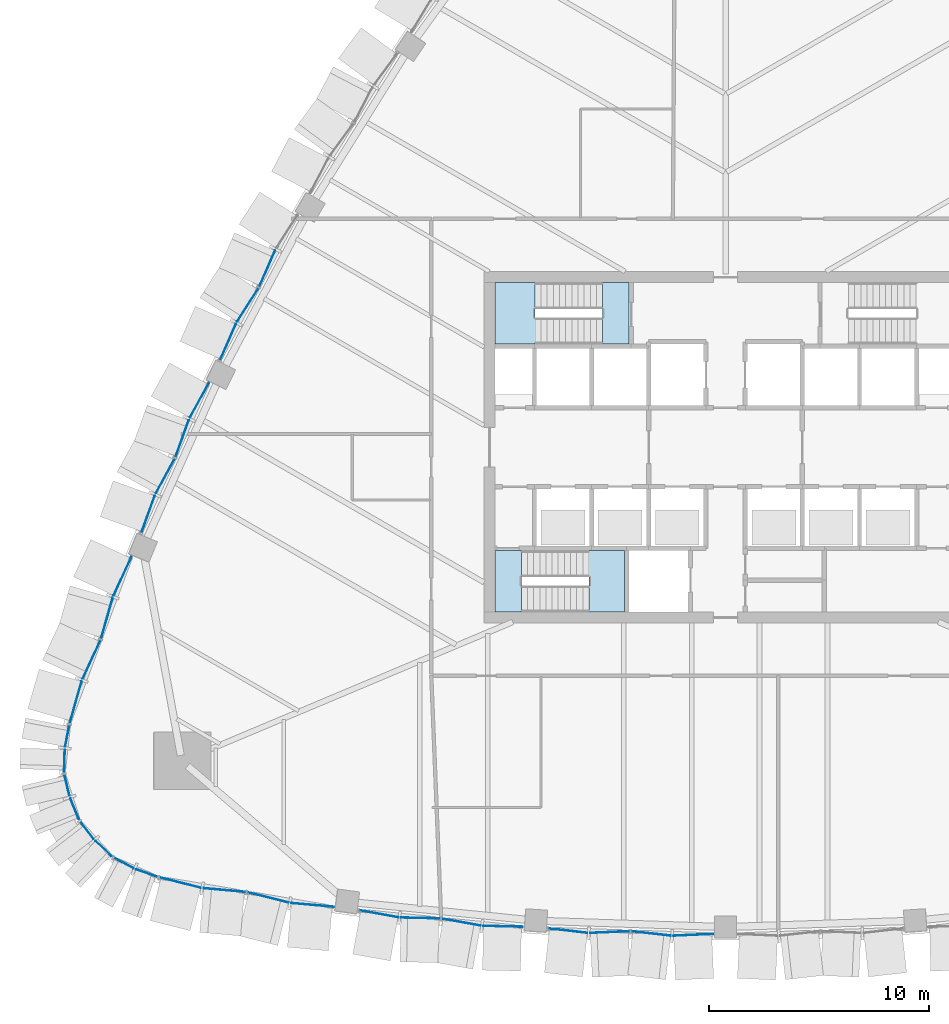
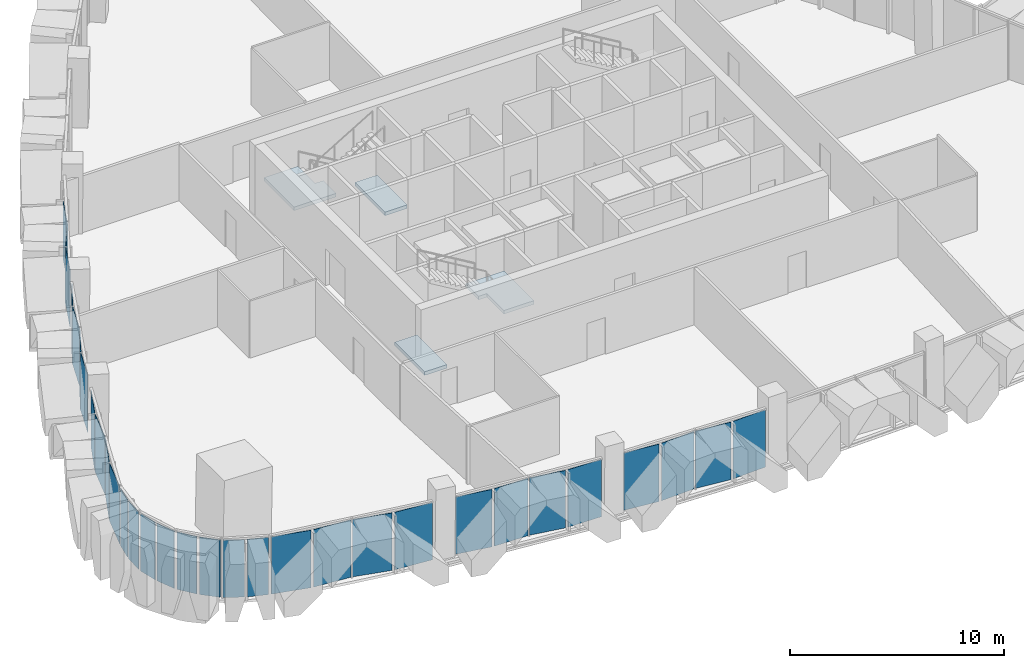
# One storey, part 8 of 18: 31 plates, 4 slabs, 12 elements without a shape of their own.
"""IFC4 building model written with IfcOpenShell, lengths in metres."""

from ifc_helpers import new_model, si_unit, direction, frame, origin, place, context, subcontext, project, spatial, polyline, outline, extrude, material, layer, layer_set, type_object, element, aggregate, save


model = new_model("IFC4")

# Units and contexts
model_context = context("Model", 3, precision=1e-05, world=origin(), true_north=direction((0.0, 1.0)))
body_context = subcontext(model_context, "Body", "Model", "MODEL_VIEW")
ifc_project = project(units=[si_unit("LENGTHUNIT", "METRE"), si_unit("AREAUNIT", "SQUARE_METRE"), si_unit("VOLUMEUNIT", "CUBIC_METRE"), si_unit("PLANEANGLEUNIT", "RADIAN"), si_unit("MASSUNIT", "GRAM", prefix="KILO")], contexts=[model_context])

# Site, building, storey
site_placement = place(None, origin())
site = spatial("IfcSite", under=ifc_project, at=site_placement, CompositionType="ELEMENT")
building_placement = place(site_placement, origin())
building = spatial("IfcBuilding", under=site, at=building_placement, Name="Sierra Prisma Convention Tower", CompositionType="ELEMENT")
storey_placement = place(building_placement, frame((0.0, 0.0, 137.800048828125)))
storey = spatial("IfcBuildingStorey", under=building, at=storey_placement, Name="L29", CompositionType="ELEMENT", Elevation=137.800048828125)

# Curtain wall, plates
ifc_material_1 = material(Name="Aluminium and glass curtain wall", Category="aluminium")
ifc_layer_1 = layer(ifc_material_1, 0.179931640625)
ifc_layer_set_1 = layer_set([ifc_layer_1], Name="CW-2 Faceted crystal curtain wall")
curtain_wall_type = type_object("IfcCurtainWallType", Name="CW-2 Faceted crystal curtain wall", PredefinedType="NOTDEFINED", material=ifc_layer_set_1)
curtain_wall_1_placement = place(storey_placement, origin())
curtain_wall_1 = element("IfcCurtainWall", 1, at=curtain_wall_1_placement, inside=storey, type_object=curtain_wall_type, Name="CW-2 S1 L29", PredefinedType="NOTDEFINED")
ifc_material_2 = material(Name="Tinted glass bronze-grey IGU", Category="glass")
ifc_layer_2 = layer(ifc_material_2, 0.028076171875)
ifc_layer_set_2 = layer_set([ifc_layer_2], Name="CW-2 crystal pane")
plate_type = type_object("IfcPlateType", Name="CW-2 crystal pane", PredefinedType="CURTAIN_PANEL", material=ifc_layer_set_2)
plate_1_placement = place(storey_placement, frame((-25.76904296875, -19.60400390625, 0.0), z_axis=(-0.243636178795, -0.969866698254, 0.0), x_axis=(0.969866698254, -0.243636178795, 0.0)))
plate_1 = element("IfcPlate", 2, at=plate_1_placement, type_object=plate_type, Name="CW-2 pane S1.1.1", PredefinedType="CURTAIN_PANEL", context=body_context, shape_type="SweptSolid", body=[
    extrude(outline(polyline([(0.0, 0.0), (1.9309898337022993, 0.0), (1.9309898337022993, 3.280029296875001), (0.0, 3.280029296875001), (0.0, 0.0)])), origin(), (0.0, 0.0, -1.0), 0.028076171875),
])
plate_2_placement = place(storey_placement, frame((-21.844970703125, -20.267578125, 0.0), z_axis=(-0.088882660449, -0.996042103865, 0.0), x_axis=(-0.996042103865, 0.088882660449, 0.0)))
plate_2 = element("IfcPlate", 3, at=plate_2_placement, type_object=plate_type, Name="CW-2 pane S1.1.2", PredefinedType="CURTAIN_PANEL", context=body_context, shape_type="SweptSolid", body=[
    extrude(outline(polyline([(0.0, 0.0), (1.9309824718122317, 0.0), (1.9309824718122317, -3.280029296875), (0.0, -3.280029296875), (0.0, 0.0)])), origin(), (0.0, 0.0, -1.0), 0.028076171875),
])
plate_3_placement = place(storey_placement, frame((-21.77587890625, -20.279296875, 0.0), z_axis=(-0.243636178795, -0.969866698254, 0.0), x_axis=(0.969866698254, -0.243636178795, 0.0)))
plate_3 = element("IfcPlate", 4, at=plate_3_placement, type_object=plate_type, Name="CW-2 pane S1.2.1", PredefinedType="CURTAIN_PANEL", context=body_context, shape_type="SweptSolid", body=[
    extrude(outline(polyline([(0.0, 0.0), (1.9309898337022993, 0.0), (1.9309898337022993, 3.280029296875001), (0.0, 3.280029296875001), (0.0, 0.0)])), origin(), (0.0, 0.0, -1.0), 0.028076171875),
])
plate_4_placement = place(storey_placement, frame((-17.85205078125, -20.943115234375, 0.0), z_axis=(-0.088882660449, -0.996042103865, 0.0), x_axis=(-0.996042103865, 0.088882660449, 0.0)))
plate_4 = element("IfcPlate", 5, at=plate_4_placement, type_object=plate_type, Name="CW-2 pane S1.2.2", PredefinedType="CURTAIN_PANEL", context=body_context, shape_type="SweptSolid", body=[
    extrude(outline(polyline([(0.0, 0.0), (1.9309824718122317, 0.0), (1.9309824718122317, -3.280029296875), (0.0, -3.280029296875), (0.0, 0.0)])), origin(), (0.0, 0.0, -1.0), 0.028076171875),
])
aggregate(curtain_wall_1, [plate_1, plate_2, plate_3, plate_4])

curtain_wall_2_placement = place(storey_placement, origin())
curtain_wall_2 = element("IfcCurtainWall", 6, at=curtain_wall_2_placement, inside=storey, type_object=curtain_wall_type, Name="CW-2 S2 L29", PredefinedType="NOTDEFINED")
plate_5_placement = place(storey_placement, frame((-16.67822265625, -21.099853515625, 0.0), z_axis=(-0.178107099109, -0.984011108294, 0.0), x_axis=(0.984011108294, -0.178107099109, 0.0)))
plate_5 = element("IfcPlate", 7, at=plate_5_placement, type_object=plate_type, Name="CW-2 pane S2.1.1", PredefinedType="CURTAIN_PANEL", context=body_context, shape_type="SweptSolid", body=[
    extrude(outline(polyline([(0.0, 0.0), (1.7943140937303539, 0.0), (1.7943140937303539, 3.280029296875), (0.0, 3.280029296875), (0.0, 0.0)])), origin(), (0.0, 0.0, -1.0), 0.028076171875),
])
plate_6_placement = place(storey_placement, frame((-12.98974609375, -21.471923828125, 0.0), z_axis=(-0.022041459352, -0.999757057524, 0.0), x_axis=(-0.999757057524, 0.022041459352, 0.0)))
plate_6 = element("IfcPlate", 8, at=plate_6_placement, type_object=plate_type, Name="CW-2 pane S2.1.2", PredefinedType="CURTAIN_PANEL", context=body_context, shape_type="SweptSolid", body=[
    extrude(outline(polyline([(0.0, 0.0), (1.7943812439217615, 0.0), (1.7943812439217615, -3.280029296875001), (0.0, -3.280029296875001), (0.0, 0.0)])), origin(), (0.0, 0.0, -1.0), 0.028076171875),
])
plate_7_placement = place(storey_placement, frame((-12.920166015625, -21.478759765625, 0.0), z_axis=(-0.178107099109, -0.984011108294, 0.0), x_axis=(0.984011108294, -0.178107099109, 0.0)))
plate_7 = element("IfcPlate", 9, at=plate_7_placement, type_object=plate_type, Name="CW-2 pane S2.2.1", PredefinedType="CURTAIN_PANEL", context=body_context, shape_type="SweptSolid", body=[
    extrude(outline(polyline([(0.0, 0.0), (1.7943140937303539, 0.0), (1.7943140937303539, 3.280029296875), (0.0, 3.280029296875), (0.0, 0.0)])), origin(), (0.0, 0.0, -1.0), 0.028076171875),
])
plate_8_placement = place(storey_placement, frame((-9.231689453125, -21.850830078125, 0.0), z_axis=(-0.021905466451, -0.999760046481, 0.0), x_axis=(-0.999760046481, 0.021905466451, 0.0)))
plate_8 = element("IfcPlate", 10, at=plate_8_placement, type_object=plate_type, Name="CW-2 pane S2.2.2", PredefinedType="CURTAIN_PANEL", context=body_context, shape_type="SweptSolid", body=[
    extrude(outline(polyline([(0.0, 0.0), (1.7943758793067706, 0.0), (1.7943758793067706, -3.280029296875001), (0.0, -3.280029296875001), (0.0, 0.0)])), origin(), (0.0, 0.0, -1.0), 0.028076171875),
])
aggregate(curtain_wall_2, [plate_5, plate_6, plate_7, plate_8])

curtain_wall_3_placement = place(storey_placement, origin())
curtain_wall_3 = element("IfcCurtainWall", 11, at=curtain_wall_3_placement, inside=storey, type_object=curtain_wall_type, Name="CW-2 S3 L29", PredefinedType="NOTDEFINED")
plate_9_placement = place(storey_placement, frame((-8.08203125, -21.927734375, 0.0), z_axis=(-0.111754642822, -0.993735829991, 0.0), x_axis=(0.993735829991, -0.111754642822, 0.0)))
plate_9 = element("IfcPlate", 12, at=plate_9_placement, type_object=plate_type, Name="CW-2 pane S3.1.1", PredefinedType="CURTAIN_PANEL", context=body_context, shape_type="SweptSolid", body=[
    extrude(outline(polyline([(0.0, 0.0), (1.80230557352087, 0.0), (1.80230557352087, 3.280029296875001), (0.0, 3.280029296875001), (0.0, 0.0)])), origin(), (0.0, 0.0, -1.0), 0.028076171875),
])
plate_10_placement = place(storey_placement, frame((-4.36083984375, -22.052490234375, 0.0), z_axis=(0.044971404362, -0.998988274601, 0.0), x_axis=(-0.998988274601, -0.044971404362, 0.0)))
plate_10 = element("IfcPlate", 13, at=plate_10_placement, type_object=plate_type, Name="CW-2 pane S3.1.2", PredefinedType="CURTAIN_PANEL", context=body_context, shape_type="SweptSolid", body=[
    extrude(outline(polyline([(0.0, 0.0), (1.8023606033760846, 0.0), (1.8023606033760846, -3.280029296875001), (0.0, -3.280029296875001), (0.0, 0.0)])), origin(), (0.0, 0.0, -1.0), 0.028076171875),
])
plate_11_placement = place(storey_placement, frame((-4.291015625, -22.0546875, 0.0), z_axis=(-0.111873349171, -0.993722473201, 0.0), x_axis=(0.993722473201, -0.111873349171, 0.0)))
plate_11 = element("IfcPlate", 14, at=plate_11_placement, type_object=plate_type, Name="CW-2 pane S3.2.1", PredefinedType="CURTAIN_PANEL", context=body_context, shape_type="SweptSolid", body=[
    extrude(outline(polyline([(0.0, 0.0), (1.8025754815168504, 0.0), (1.8025754815168504, 3.280029296875), (0.0, 3.280029296875), (0.0, 0.0)])), origin(), (0.0, 0.0, -1.0), 0.028076171875),
])
plate_12_placement = place(storey_placement, frame((-0.569580078125, -22.179443359375, 0.0), z_axis=(0.044965319699, -0.998988548495, 0.0), x_axis=(-0.998988548495, -0.044965319699, 0.0)))
plate_12 = element("IfcPlate", 15, at=plate_12_placement, type_object=plate_type, Name="CW-2 pane S3.2.2", PredefinedType="CURTAIN_PANEL", context=body_context, shape_type="SweptSolid", body=[
    extrude(outline(polyline([(0.0, 0.0), (1.8026044970312498, 0.0), (1.8026044970312498, -3.280029296875), (0.0, -3.280029296875), (0.0, 0.0)])), origin(), (0.0, 0.0, -1.0), 0.028076171875),
])
aggregate(curtain_wall_3, [plate_9, plate_10, plate_11, plate_12])

curtain_wall_4_placement = place(storey_placement, origin())
curtain_wall_4 = element("IfcCurtainWall", 16, at=curtain_wall_4_placement, inside=storey, type_object=curtain_wall_type, Name="CW-2 NW4 L29", PredefinedType="NOTDEFINED")
plate_13_placement = place(storey_placement, frame((-21.245361328125, 7.311279296875, 0.0), z_axis=(-0.916511389168, 0.400008591814, 0.0), x_axis=(0.400008591814, 0.916511389168, 0.0)))
plate_13 = element("IfcPlate", 17, at=plate_13_placement, type_object=plate_type, Name="CW-2 pane NW4.1.2", PredefinedType="CURTAIN_PANEL", context=body_context, shape_type="SweptSolid", body=[
    extrude(outline(polyline([(0.0, 0.0), (1.802329450863922, 0.0), (1.802329450863922, -3.280029296875001), (0.0, -3.280029296875001), (0.0, 0.0)])), origin(), (0.0, 0.0, -1.0), 0.028076171875),
])
plate_14_placement = place(storey_placement, frame((-21.2783203125, 7.24951171875, 0.0), z_axis=(-0.842605777815, 0.538530874874, 0.0), x_axis=(-0.538530874874, -0.842605777815, 0.0)))
plate_14 = element("IfcPlate", 18, at=plate_14_placement, type_object=plate_type, Name="CW-2 pane NW4.2.1", PredefinedType="CURTAIN_PANEL", context=body_context, shape_type="SweptSolid", body=[
    extrude(outline(polyline([(0.0, 0.0), (1.8025022710661531, 0.0), (1.8025022710661531, 3.280029296875), (0.0, 3.280029296875), (0.0, 0.0)])), origin(), (0.0, 0.0, -1.0), 0.028076171875),
])
plate_15_placement = place(storey_placement, frame((-23.031005859375, 3.96435546875, 0.0), z_axis=(-0.916533059404, 0.399958936666, 0.0), x_axis=(0.399958936666, 0.916533059404, 0.0)))
plate_15 = element("IfcPlate", 19, at=plate_15_placement, type_object=plate_type, Name="CW-2 pane NW4.2.2", PredefinedType="CURTAIN_PANEL", context=body_context, shape_type="SweptSolid", body=[
    extrude(outline(polyline([(0.0, 0.0), (1.8025532111727498, 0.0), (1.8025532111727498, -3.280029296875), (0.0, -3.280029296875), (0.0, 0.0)])), origin(), (0.0, 0.0, -1.0), 0.028076171875),
])
aggregate(curtain_wall_4, [plate_13, plate_14, plate_15])

curtain_wall_5_placement = place(storey_placement, origin())
curtain_wall_5 = element("IfcCurtainWall", 20, at=curtain_wall_5_placement, inside=storey, type_object=curtain_wall_type, Name="CW-2 NW5 L29", PredefinedType="NOTDEFINED")
plate_16_placement = place(storey_placement, frame((-23.539306640625, 2.9306640625, 0.0), z_axis=(-0.876801305553, 0.480852857515, 0.0), x_axis=(-0.480852857515, -0.876801305553, 0.0)))
plate_16 = element("IfcPlate", 21, at=plate_16_placement, type_object=plate_type, Name="CW-2 pane NW5.1.1", PredefinedType="CURTAIN_PANEL", context=body_context, shape_type="SweptSolid", body=[
    extrude(outline(polyline([(0.0, 0.0), (1.7942972684185372, 0.0), (1.7942972684185372, 3.280029296875), (0.0, 3.280029296875), (0.0, 0.0)])), origin(), (0.0, 0.0, -1.0), 0.028076171875),
])
plate_17_placement = place(storey_placement, frame((-25.061279296875, -0.44970703125, 0.0), z_axis=(-0.941254563031, 0.337697864331, 0.0), x_axis=(0.337697864331, 0.941254563031, 0.0)))
plate_17 = element("IfcPlate", 22, at=plate_17_placement, type_object=plate_type, Name="CW-2 pane NW5.1.2", PredefinedType="CURTAIN_PANEL", context=body_context, shape_type="SweptSolid", body=[
    extrude(outline(polyline([(0.0, 0.0), (1.794376261307749, 0.0), (1.794376261307749, -3.280029296875), (0.0, -3.280029296875), (0.0, 0.0)])), origin(), (0.0, 0.0, -1.0), 0.028076171875),
])
plate_18_placement = place(storey_placement, frame((-25.090087890625, -0.513427734375, 0.0), z_axis=(-0.876832760746, 0.480795496738, 0.0), x_axis=(-0.480795496738, -0.876832760746, 0.0)))
plate_18 = element("IfcPlate", 23, at=plate_18_placement, type_object=plate_type, Name="CW-2 pane NW5.2.1", PredefinedType="CURTAIN_PANEL", context=body_context, shape_type="SweptSolid", body=[
    extrude(outline(polyline([(0.0, 0.0), (1.79451133507725, 0.0), (1.79451133507725, 3.280029296875), (0.0, 3.280029296875), (0.0, 0.0)])), origin(), (0.0, 0.0, -1.0), 0.028076171875),
])
plate_19_placement = place(storey_placement, frame((-26.612060546875, -3.893798828125, 0.0), z_axis=(-0.941239043928, 0.337741117107, 0.0), x_axis=(0.337741117107, 0.941239043928, 0.0)))
plate_19 = element("IfcPlate", 24, at=plate_19_placement, type_object=plate_type, Name="CW-2 pane NW5.2.2", PredefinedType="CURTAIN_PANEL", context=body_context, shape_type="SweptSolid", body=[
    extrude(outline(polyline([(0.0, 0.0), (1.7941464647247471, 0.0), (1.7941464647247471, -3.280029296875), (0.0, -3.280029296875), (0.0, 0.0)])), origin(), (0.0, 0.0, -1.0), 0.028076171875),
])
aggregate(curtain_wall_5, [plate_16, plate_17, plate_18, plate_19])

curtain_wall_6_placement = place(storey_placement, origin())
curtain_wall_6 = element("IfcCurtainWall", 25, at=curtain_wall_6_placement, inside=storey, type_object=curtain_wall_type, Name="CW-2 NW6 L29", PredefinedType="NOTDEFINED")
plate_20_placement = place(storey_placement, frame((-27.063232421875, -4.98876953125, 0.0), z_axis=(-0.907046907926, 0.421029579509, 0.0), x_axis=(-0.421029579509, -0.907046907926, 0.0)))
plate_20 = element("IfcPlate", 26, at=plate_20_placement, type_object=plate_type, Name="CW-2 pane NW6.1.1", PredefinedType="CURTAIN_PANEL", context=body_context, shape_type="SweptSolid", body=[
    extrude(outline(polyline([(0.0, 0.0), (1.9309528850653093, 0.0), (1.9309528850653093, 3.280029296875001), (0.0, 3.280029296875001), (0.0, 0.0)])), origin(), (0.0, 0.0, -1.0), 0.028076171875),
])
plate_21_placement = place(storey_placement, frame((-28.450439453125, -8.718994140625, 0.0), z_axis=(-0.961738343213, 0.273969631884, 0.0), x_axis=(0.273969631884, 0.961738343213, 0.0)))
plate_21 = element("IfcPlate", 27, at=plate_21_placement, type_object=plate_type, Name="CW-2 pane NW6.1.2", PredefinedType="CURTAIN_PANEL", context=body_context, shape_type="SweptSolid", body=[
    extrude(outline(polyline([(0.0, 0.0), (1.9310634201931127, 0.0), (1.9310634201931127, -3.280029296875001), (0.0, -3.280029296875001), (0.0, 0.0)])), origin(), (0.0, 0.0, -1.0), 0.028076171875),
])
plate_22_placement = place(storey_placement, frame((-28.474853515625, -8.784423828125, 0.0), z_axis=(-0.907046907926, 0.421029579509, 0.0), x_axis=(-0.421029579509, -0.907046907926, 0.0)))
plate_22 = element("IfcPlate", 28, at=plate_22_placement, type_object=plate_type, Name="CW-2 pane NW6.2.1", PredefinedType="CURTAIN_PANEL", context=body_context, shape_type="SweptSolid", body=[
    extrude(outline(polyline([(0.0, 0.0), (1.9309528850653093, 0.0), (1.9309528850653093, 3.280029296875001), (0.0, 3.280029296875001), (0.0, 0.0)])), origin(), (0.0, 0.0, -1.0), 0.028076171875),
])
plate_23_placement = place(storey_placement, frame((-29.862060546875, -12.5146484375, 0.0), z_axis=(-0.961738343213, 0.273969631884, 0.0), x_axis=(0.273969631884, 0.961738343213, 0.0)))
plate_23 = element("IfcPlate", 29, at=plate_23_placement, type_object=plate_type, Name="CW-2 pane NW6.2.2", PredefinedType="CURTAIN_PANEL", context=body_context, shape_type="SweptSolid", body=[
    extrude(outline(polyline([(0.0, 0.0), (1.9310634201931127, 0.0), (1.9310634201931127, -3.280029296875001), (0.0, -3.280029296875001), (0.0, 0.0)])), origin(), (0.0, 0.0, -1.0), 0.028076171875),
])
aggregate(curtain_wall_6, [plate_20, plate_21, plate_22, plate_23])

curtain_wall_7_placement = place(storey_placement, origin())
curtain_wall_7 = element("IfcCurtainWall", 30, at=curtain_wall_7_placement, inside=storey, type_object=curtain_wall_type, Name="CW-2 SW1 L29", PredefinedType="NOTDEFINED")
plate_24_placement = place(storey_placement, frame((-29.894287109375, -12.649658203125, 0.0), z_axis=(-0.982112141093, 0.188296952491, 0.0), x_axis=(-0.188296952491, -0.982112141093, 0.0)))
plate_24 = element("IfcPlate", 31, at=plate_24_placement, type_object=plate_type, Name="CW-2 pane SW1.1.1", PredefinedType="CURTAIN_PANEL", context=body_context, shape_type="SweptSolid", body=[
    extrude(outline(polyline([(0.0, 0.0), (1.0035470104543807, 0.0), (1.0035470104543807, 3.280029296875), (0.0, 3.280029296875), (0.0, 0.0)])), origin(), (0.0, 0.0, -1.0), 0.028076171875),
])
plate_25_placement = place(storey_placement, frame((-30.130126953125, -14.76708984375, 0.0), z_axis=(-0.999476313762, 0.032358897208, 0.0), x_axis=(0.032358897208, 0.999476313762, 0.0)))
plate_25 = element("IfcPlate", 32, at=plate_25_placement, type_object=plate_type, Name="CW-2 pane SW1.1.2", PredefinedType="CURTAIN_PANEL", context=body_context, shape_type="SweptSolid", body=[
    extrude(outline(polyline([(0.0, 0.0), (1.0034551831697716, 0.0), (1.0034551831697716, -3.280029296875), (0.0, -3.280029296875), (0.0, 0.0)])), origin(), (0.0, 0.0, -1.0), 0.028076171875),
])
aggregate(curtain_wall_7, [plate_24, plate_25])

curtain_wall_8_placement = place(storey_placement, origin())
curtain_wall_8 = element("IfcCurtainWall", 33, at=curtain_wall_8_placement, inside=storey, type_object=curtain_wall_type, Name="CW-2 SW2 L29", PredefinedType="NOTDEFINED")
plate_26_placement = place(storey_placement, frame((-30.116455078125, -14.9033203125, 0.0), z_axis=(-0.972868825805, -0.231357402686, 0.0), x_axis=(0.231357402686, -0.972868825805, 0.0)))
plate_26 = element("IfcPlate", 34, at=plate_26_placement, type_object=plate_type, Name="CW-2 pane SW2.1.1", PredefinedType="CURTAIN_PANEL", context=body_context, shape_type="SweptSolid", body=[
    extrude(outline(polyline([(0.0, 0.0), (1.0035457334831333, 0.0), (1.0035457334831333, 3.280029296875), (0.0, 3.280029296875), (0.0, 0.0)])), origin(), (0.0, 0.0, -1.0), 0.028076171875),
])
plate_27_placement = place(storey_placement, frame((-29.46240234375, -16.93115234375, 0.0), z_axis=(-0.924688174629, -0.380725333674, 0.0), x_axis=(-0.380725333674, 0.924688174629, 0.0)))
plate_27 = element("IfcPlate", 35, at=plate_27_placement, type_object=plate_type, Name="CW-2 pane SW2.1.2", PredefinedType="CURTAIN_PANEL", context=body_context, shape_type="SweptSolid", body=[
    extrude(outline(polyline([(0.0, 0.0), (1.0035583249425937, 0.0), (1.0035583249425937, -3.280029296875), (0.0, -3.280029296875), (0.0, 0.0)])), origin(), (0.0, 0.0, -1.0), 0.028076171875),
])
aggregate(curtain_wall_8, [plate_26, plate_27])

curtain_wall_9_placement = place(storey_placement, origin())
curtain_wall_9 = element("IfcCurtainWall", 36, at=curtain_wall_9_placement, inside=storey, type_object=curtain_wall_type, Name="CW-2 SW3 L29", PredefinedType="NOTDEFINED")
plate_28_placement = place(storey_placement, frame((-29.393798828125, -17.049560546875, 0.0), z_axis=(-0.792108212903, -0.610380683714, 0.0), x_axis=(0.610380683714, -0.792108212903, 0.0)))
plate_28 = element("IfcPlate", 37, at=plate_28_placement, type_object=plate_type, Name="CW-2 pane SW3.1.1", PredefinedType="CURTAIN_PANEL", context=body_context, shape_type="SweptSolid", body=[
    extrude(outline(polyline([(0.0, 0.0), (1.0035521183231224, 0.0), (1.0035521183231224, 3.280029296875), (0.0, 3.280029296875), (0.0, 0.0)])), origin(), (0.0, 0.0, -1.0), 0.028076171875),
])
plate_29_placement = place(storey_placement, frame((-27.965087890625, -18.6298828125, 0.0), z_axis=(-0.686873553364, -0.726776940807, 0.0), x_axis=(-0.726776940807, 0.686873553364, 0.0)))
plate_29 = element("IfcPlate", 38, at=plate_29_placement, type_object=plate_type, Name="CW-2 pane SW3.1.2", PredefinedType="CURTAIN_PANEL", context=body_context, shape_type="SweptSolid", body=[
    extrude(outline(polyline([(0.0, 0.0), (1.003400088705508, 0.0), (1.003400088705508, -3.280029296875), (0.0, -3.280029296875), (0.0, 0.0)])), origin(), (0.0, 0.0, -1.0), 0.028076171875),
])
aggregate(curtain_wall_9, [plate_28, plate_29])

curtain_wall_10_placement = place(storey_placement, origin())
curtain_wall_10 = element("IfcCurtainWall", 39, at=curtain_wall_10_placement, inside=storey, type_object=curtain_wall_type, Name="CW-2 SW4 L29", PredefinedType="NOTDEFINED")
plate_30_placement = place(storey_placement, frame((-27.85400390625, -18.7099609375, 0.0), z_axis=(-0.471661047399, -0.881779936473, 0.0), x_axis=(0.881779936473, -0.471661047399, 0.0)))
plate_30 = element("IfcPlate", 40, at=plate_30_placement, type_object=plate_type, Name="CW-2 pane SW4.1.1", PredefinedType="CURTAIN_PANEL", context=body_context, shape_type="SweptSolid", body=[
    extrude(outline(polyline([(0.0, 0.0), (1.0036628517142567, 0.0), (1.0036628517142567, 3.280029296875), (0.0, 3.280029296875), (0.0, 0.0)])), origin(), (0.0, 0.0, -1.0), 0.028076171875),
])
plate_31_placement = place(storey_placement, frame((-25.902099609375, -19.564208984375, 0.0), z_axis=(-0.327954394481, -0.944693556208, 0.0), x_axis=(-0.944693556208, 0.327954394481, 0.0)))
plate_31 = element("IfcPlate", 41, at=plate_31_placement, type_object=plate_type, Name="CW-2 pane SW4.1.2", PredefinedType="CURTAIN_PANEL", context=body_context, shape_type="SweptSolid", body=[
    extrude(outline(polyline([(0.0, 0.0), (1.0034979498328616, 0.0), (1.0034979498328616, -3.280029296875001), (0.0, -3.280029296875001), (0.0, 0.0)])), origin(), (0.0, 0.0, -1.0), 0.028076171875),
])
aggregate(curtain_wall_10, [plate_30, plate_31])

# Stair, slab
ifc_material_3 = material(Name="Concrete C30/37", Category="concrete")
stair_type = type_object("IfcStairType", Name="Stair dog-leg 1200 RC", PredefinedType="HALF_TURN_STAIR", material=ifc_material_3)
stair_1_placement = place(storey_placement, origin())
stair_1 = element("IfcStair", 42, at=stair_1_placement, inside=storey, type_object=stair_type, Name="L29 S1", PredefinedType="HALF_TURN_STAIR")
ifc_material_4 = material(Name="Concrete C35/45", Category="concrete")
ifc_layer_3 = layer(ifc_material_4, 0.199951171875)
ifc_layer_set_3 = layer_set([ifc_layer_3], Name="Stair landing slab")
slab_type = type_object("IfcSlabType", Name="Stair landing slab", PredefinedType="LANDING", material=ifc_layer_set_3)
slab_1_placement = place(storey_placement, frame((0.0, 0.0, 1.800048828125)))
slab_1 = element("IfcSlab", 43, at=slab_1_placement, type_object=slab_type, Name="S1 landing 1", PredefinedType="LANDING", context=body_context, shape_type="SweptSolid", body=[
    extrude(outline(polyline([(-4.60009765625, -4.699951171875), (-4.60009765625, -7.5), (-6.221923828125, -7.5), (-6.221923828125, -5.89990234375), (-6.669921875, -5.89990234375), (-6.669921875, -4.699951171875), (-4.60009765625, -4.699951171875)])), origin(), (0.0, 0.0, 1.0), 0.199951171875),
])
aggregate(stair_1, [slab_1])

# Slab
slab_2_placement = place(storey_placement, frame((0.0, 0.0, -0.199951171875)))
element("IfcSlab", 44, at=slab_2_placement, inside=storey, type_object=slab_type, Name="S1 floor landing L29", PredefinedType="LANDING", context=body_context, shape_type="SweptSolid", body=[
    extrude(outline(polyline([(-10.5, -7.5), (-9.298095703125, -7.5), (-9.298095703125, -4.699951171875), (-10.5, -4.699951171875), (-10.5, -7.5)])), origin(), (0.0, 0.0, 1.0), 0.199951171875),
])

# Stair, slab
stair_2_placement = place(storey_placement, origin())
stair_2 = element("IfcStair", 45, at=stair_2_placement, inside=storey, type_object=stair_type, Name="L29 S3", PredefinedType="HALF_TURN_STAIR")
slab_3_placement = place(storey_placement, frame((0.0, 0.0, 1.800048828125)))
slab_3 = element("IfcSlab", 46, at=slab_3_placement, type_object=slab_type, Name="S3 landing 1", PredefinedType="LANDING", context=body_context, shape_type="SweptSolid", body=[
    extrude(outline(polyline([(-8.22998046875, 5.89990234375), (-8.22998046875, 4.699951171875), (-10.5, 4.699951171875), (-10.5, 7.5), (-8.677978515625, 7.5), (-8.677978515625, 5.89990234375), (-8.22998046875, 5.89990234375)])), origin(), (0.0, 0.0, 1.0), 0.199951171875),
])
aggregate(stair_2, [slab_3])

# Slab
slab_4_placement = place(storey_placement, frame((0.0, 0.0, -0.199951171875)))
element("IfcSlab", 47, at=slab_4_placement, inside=storey, type_object=slab_type, Name="S3 floor landing L29", PredefinedType="LANDING", context=body_context, shape_type="SweptSolid", body=[
    extrude(outline(polyline([(-4.39990234375, 7.5), (-5.60205078125, 7.5), (-5.60205078125, 4.699951171875), (-4.39990234375, 4.699951171875), (-4.39990234375, 7.5)])), origin(), (0.0, 0.0, 1.0), 0.199951171875),
])

save(model, "model.ifc")
